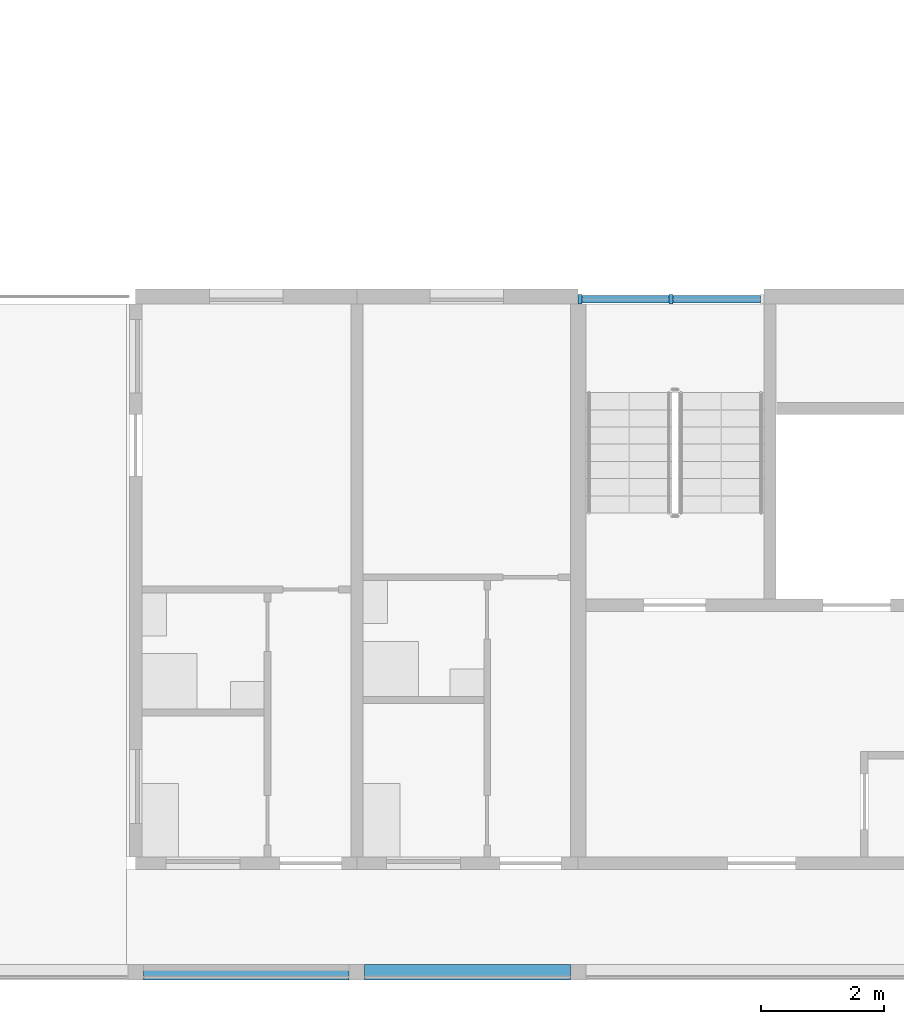
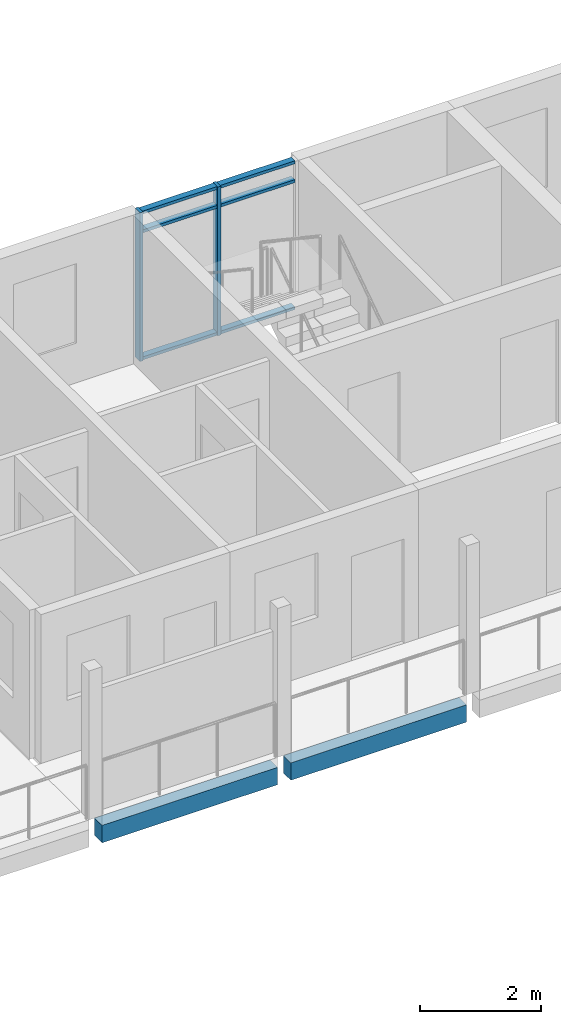
# One storey, part 7 of 78: 8 members, 2 beams, 1 element without a shape of its own.
"""IFC4 building model written with IfcOpenShell, lengths in metres."""

from ifc_helpers import new_model, si_unit, direction, frame, origin, origin_2d, place, context, subcontext, project, spatial, rectangle, extrude, material, material_profile, profile_set, type_object, element, aggregate, save


model = new_model("IFC4")

# Units and contexts
model_context = context("Model", 3, precision=1e-05, world=origin(), true_north=direction((0.0, 1.0)))
body_context = subcontext(model_context, "Body", "Model", "MODEL_VIEW")
ifc_project = project(units=[si_unit("LENGTHUNIT", "METRE"), si_unit("AREAUNIT", "SQUARE_METRE"), si_unit("VOLUMEUNIT", "CUBIC_METRE"), si_unit("PLANEANGLEUNIT", "RADIAN"), si_unit("MASSUNIT", "GRAM", prefix="KILO")], contexts=[model_context])

# Site, building, storey
site_placement = place(None, origin())
site = spatial("IfcSite", under=ifc_project, at=site_placement, CompositionType="ELEMENT")
building_placement = place(site_placement, origin())
building = spatial("IfcBuilding", under=site, at=building_placement, Name="Ridgestep Commons", CompositionType="ELEMENT")
storey_placement = place(building_placement, frame((0.0, 0.0, 30.0)))
storey = spatial("IfcBuildingStorey", under=building, at=storey_placement, Name="L10", CompositionType="ELEMENT", Elevation=30.0)

# Beams
ifc_material_1 = material(Name="Precast concrete C40/50", Category="concrete")
ifc_material_profile_1 = material_profile(ifc_material_1, rectangle(XDim=0.25, YDim=0.35009765625, at=origin_2d()), Name="PC 250x350")
ifc_profile_set_1 = profile_set([ifc_material_profile_1], Name="Precast concrete C40/50")
beam_type = type_object("IfcBeamType", Name="Loggia edge beam 250 x 350", PredefinedType="SPANDREL", material=ifc_profile_set_1)
beam_1_placement = place(storey_placement, frame((66.125, 11.875, -0.375), z_axis=(1.0, 0.0, 0.0), x_axis=(0.0, 1.0, 0.0)))
element("IfcBeam", 1, at=beam_1_placement, inside=storey, type_object=beam_type, Name="Loggia edge beam A4T2 L10", PredefinedType="SPANDREL", context=body_context, shape_type="SweptSolid", body=[
    extrude(rectangle(XDim=0.25, YDim=0.35009765625, at=origin_2d()), origin(), (0.0, 0.0, 1.0), 3.35009765625),
])
beam_2_placement = place(storey_placement, frame((69.72509765625, 11.875, -0.375), z_axis=(1.0, 0.0, 0.0), x_axis=(0.0, 1.0, 0.0)))
element("IfcBeam", 2, at=beam_2_placement, inside=storey, type_object=beam_type, Name="Loggia edge beam A4T3 L10", PredefinedType="SPANDREL", context=body_context, shape_type="SweptSolid", body=[
    extrude(rectangle(XDim=0.25, YDim=0.35009765625, at=origin_2d()), origin(), (0.0, 0.0, 1.0), 3.349853515625),
])

# Curtain wall, members
ifc_material_2 = material(Name="Aluminium 6063-T6 and glass", Category="aluminium")
curtain_wall_type = type_object("IfcCurtainWallType", Name="Curtain wall stair strip", PredefinedType="NOTDEFINED", material=ifc_material_2)
curtain_wall_placement = place(storey_placement, origin())
curtain_wall = element("IfcCurtainWall", 3, at=curtain_wall_placement, inside=storey, type_object=curtain_wall_type, Name="Curtain wall A4C level 10", PredefinedType="NOTDEFINED")
ifc_material_3 = material(Name="Aluminium 6063-T6", Category="aluminium")
ifc_material_profile_2 = material_profile(ifc_material_3, rectangle(XDim=0.159912109375, YDim=0.06005859375, at=origin_2d()), Name="Mullion 60 x 160")
ifc_profile_set_2 = profile_set([ifc_material_profile_2], Name="Aluminium 6063-T6")
member_type_1 = type_object("IfcMemberType", Name="Mullion 60 x 160", PredefinedType="MULLION", material=ifc_profile_set_2)
member_1_placement = place(storey_placement, frame((73.22998046875, 22.830078125, 0.0), z_axis=(0.0, 0.0, 1.0), x_axis=(0.0, 1.0, 0.0)))
member_1 = element("IfcMember", 4, at=member_1_placement, type_object=member_type_1, Name="CW1 mullion 1", PredefinedType="MULLION", context=body_context, shape_type="SweptSolid", body=[
    extrude(rectangle(XDim=0.159912109375, YDim=0.06005859375, at=origin_2d()), origin(), (0.0, 0.0, 1.0), 3.0),
])
member_2_placement = place(storey_placement, frame((74.71240234375, 22.830078125, 0.0), z_axis=(0.0, 0.0, 1.0), x_axis=(0.0, 1.0, 0.0)))
member_2 = element("IfcMember", 5, at=member_2_placement, type_object=member_type_1, Name="CW1 mullion 2", PredefinedType="MULLION", context=body_context, shape_type="SweptSolid", body=[
    extrude(rectangle(XDim=0.159912109375, YDim=0.06005859375, at=origin_2d()), origin(), (0.0, 0.0, 1.0), 3.0),
])
ifc_material_4 = material(Name="Aluminium 6063-T6", Category="aluminium")
ifc_material_profile_3 = material_profile(ifc_material_4, rectangle(XDim=0.1201171875, YDim=0.06005859375, at=origin_2d()), Name="Transom 60 x 120")
ifc_profile_set_3 = profile_set([ifc_material_profile_3], Name="Aluminium 6063-T6")
member_type_2 = type_object("IfcMemberType", Name="Transom 60 x 120", PredefinedType="USERDEFINED", material=ifc_profile_set_3)
member_3_placement = place(storey_placement, frame((73.260009765625, 22.830078125, 0.030029296875), z_axis=(1.0, 0.0, 0.0), x_axis=(0.0, 1.0, 0.0)))
member_3 = element("IfcMember", 6, at=member_3_placement, type_object=member_type_2, Name="CW1 transom 1.1", ObjectType="TRANSOM", PredefinedType="USERDEFINED", context=body_context, shape_type="SweptSolid", body=[
    extrude(rectangle(XDim=0.1201171875, YDim=0.06005859375, at=origin_2d()), origin(), (0.0, 0.0, 1.0), 1.422607421875),
])
member_4_placement = place(storey_placement, frame((73.260009765625, 22.830078125, 2.590087890625), z_axis=(1.0, 0.0, 0.0), x_axis=(0.0, 1.0, 0.0)))
member_4 = element("IfcMember", 7, at=member_4_placement, type_object=member_type_2, Name="CW1 transom 1.2", ObjectType="TRANSOM", PredefinedType="USERDEFINED", context=body_context, shape_type="SweptSolid", body=[
    extrude(rectangle(XDim=0.1201171875, YDim=0.06005859375, at=origin_2d()), origin(), (0.0, 0.0, 1.0), 1.422607421875),
])
member_5_placement = place(storey_placement, frame((73.260009765625, 22.830078125, 2.969970703125), z_axis=(1.0, 0.0, 0.0), x_axis=(0.0, 1.0, 0.0)))
member_5 = element("IfcMember", 8, at=member_5_placement, type_object=member_type_2, Name="CW1 transom 1.3", ObjectType="TRANSOM", PredefinedType="USERDEFINED", context=body_context, shape_type="SweptSolid", body=[
    extrude(rectangle(XDim=0.1201171875, YDim=0.06005859375, at=origin_2d()), origin(), (0.0, 0.0, 1.0), 1.422607421875),
])
member_6_placement = place(storey_placement, frame((74.742431640625, 22.830078125, 0.030029296875), z_axis=(1.0, 0.0, 0.0), x_axis=(0.0, 1.0, 0.0)))
member_6 = element("IfcMember", 9, at=member_6_placement, type_object=member_type_2, Name="CW1 transom 2.1", ObjectType="TRANSOM", PredefinedType="USERDEFINED", context=body_context, shape_type="SweptSolid", body=[
    extrude(rectangle(XDim=0.1201171875, YDim=0.06005859375, at=origin_2d()), origin(), (0.0, 0.0, 1.0), 1.422607421875),
])
member_7_placement = place(storey_placement, frame((74.742431640625, 22.830078125, 2.590087890625), z_axis=(1.0, 0.0, 0.0), x_axis=(0.0, 1.0, 0.0)))
member_7 = element("IfcMember", 10, at=member_7_placement, type_object=member_type_2, Name="CW1 transom 2.2", ObjectType="TRANSOM", PredefinedType="USERDEFINED", context=body_context, shape_type="SweptSolid", body=[
    extrude(rectangle(XDim=0.1201171875, YDim=0.06005859375, at=origin_2d()), origin(), (0.0, 0.0, 1.0), 1.422607421875),
])
member_8_placement = place(storey_placement, frame((74.742431640625, 22.830078125, 2.969970703125), z_axis=(1.0, 0.0, 0.0), x_axis=(0.0, 1.0, 0.0)))
member_8 = element("IfcMember", 11, at=member_8_placement, type_object=member_type_2, Name="CW1 transom 2.3", ObjectType="TRANSOM", PredefinedType="USERDEFINED", context=body_context, shape_type="SweptSolid", body=[
    extrude(rectangle(XDim=0.1201171875, YDim=0.06005859375, at=origin_2d()), origin(), (0.0, 0.0, 1.0), 1.422607421875),
])
aggregate(curtain_wall, [member_1, member_2, member_3, member_4, member_5, member_6, member_7, member_8])

save(model, "model.ifc")
